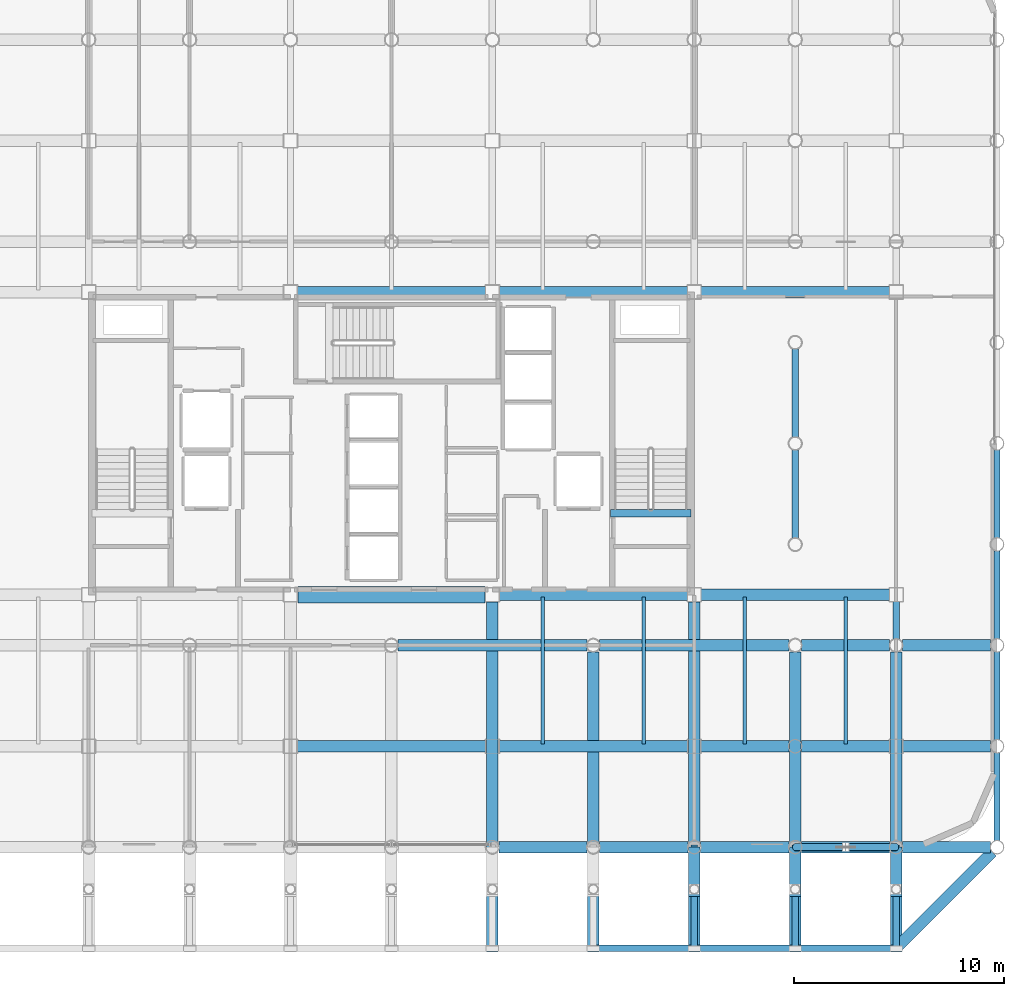
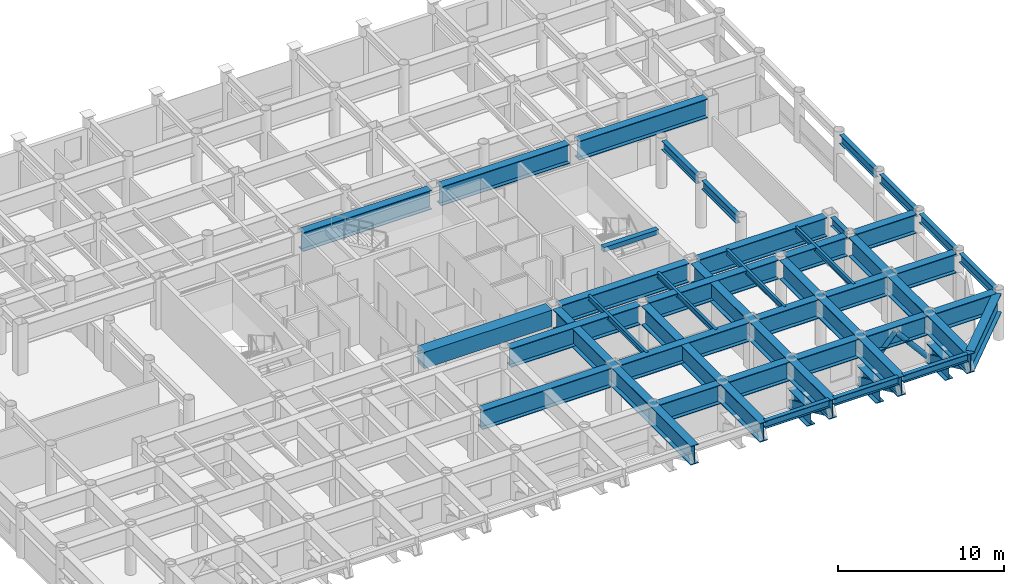
# One storey, part 9 of 24: 44 beams, 5 members.
"""IFC4 building model written with IfcOpenShell, lengths in metres."""

from ifc_helpers import new_model, si_unit, direction, frame, origin, origin_2d, place, context, subcontext, project, spatial, rectangle, hollow_rectangle, hollow_circle, i_section, extrude, material, material_profile, profile_set, type_object, element, save


model = new_model("IFC4")

# Units and contexts
model_context = context("Model", 3, precision=1e-05, world=origin(), true_north=direction((0.0, 1.0)))
body_context = subcontext(model_context, "Body", "Model", "MODEL_VIEW")
ifc_project = project(units=[si_unit("LENGTHUNIT", "METRE"), si_unit("AREAUNIT", "SQUARE_METRE"), si_unit("VOLUMEUNIT", "CUBIC_METRE"), si_unit("PLANEANGLEUNIT", "RADIAN"), si_unit("MASSUNIT", "GRAM", prefix="KILO")], contexts=[model_context])

# Site, building, storey
site_placement = place(None, origin())
site = spatial("IfcSite", under=ifc_project, at=site_placement, CompositionType="ELEMENT")
building_placement = place(site_placement, origin())
building = spatial("IfcBuilding", under=site, at=building_placement, Name="Kallvorn Hotel Tower", CompositionType="ELEMENT")
storey_placement = place(building_placement, frame((0.0, 0.0, 150.699951171875)))
storey = spatial("IfcBuildingStorey", under=building, at=storey_placement, Name="L37", CompositionType="ELEMENT", Elevation=150.699951171875)

# Beams
ifc_material_1 = material(Name="Structural steel S355JR", Category="steel")
ifc_material_profile_1 = material_profile(ifc_material_1, i_section(OverallWidth=0.300048828125, OverallDepth=0.550048828125, WebThickness=0.014892578125, FlangeThickness=0.029052734375, at=origin_2d()), Name="HE 550 B")
ifc_profile_set_1 = profile_set([ifc_material_profile_1], Name="Structural steel S355JR")
beam_type_1 = type_object("IfcBeamType", Name="BM_HE550B", PredefinedType="SPANDREL", material=ifc_profile_set_1)
for number, where, z_axis, x_axis, name in (
    (1, (9.75, -24.0, 3.2451171875), (1.0, 0.0, 0.0), (0.0, 1.0, 0.0), "L38 Perimeter Spandrel 172"),
    (2, (14.550048828125, -24.0, 3.2451171875), (1.0, 0.0, 0.0), (0.0, 1.0, 0.0), "L38 Perimeter Spandrel 173"),
    (3, (19.35009765625, -24.0, 3.2451171875), (1.0, 0.0, 0.0), (0.0, 1.0, 0.0), "L38 Perimeter Spandrel 174"),
):
    element("IfcBeam", number, at=place(storey_placement, frame(where, z_axis=z_axis, x_axis=x_axis)), inside=storey, type_object=beam_type_1, Name=name, PredefinedType="SPANDREL", context=body_context, shape_type="SweptSolid", body=[
        extrude(i_section(OverallWidth=0.300048828125, OverallDepth=0.550048828125, WebThickness=0.014892578125, FlangeThickness=0.029052734375, at=origin_2d()), origin(), (0.0, 0.0, 1.0), 4.5),
    ])
ifc_material_2 = material(Name="Structural steel S355JR", Category="steel")
ifc_material_profile_2 = material_profile(ifc_material_2, i_section(OverallWidth=0.300048828125, OverallDepth=0.64990234375, WebThickness=0.01611328125, FlangeThickness=0.031005859375, at=origin_2d()), Name="HE 650 B")
ifc_profile_set_2 = profile_set([ifc_material_profile_2], Name="Structural steel S355JR")
beam_type_2 = type_object("IfcBeamType", Name="BM_HE650B", PredefinedType="BEAM", material=ifc_profile_set_2)
for number, where, z_axis, x_axis, name in (
    (4, (19.199951171875, -4.4951171875, 3.195068359375), (0.0, 1.0, 0.0), (-1.0, 0.0, 0.0), "L38 Primary Y-Girder 143"),
    (5, (19.199951171875, 0.304931640625, 3.195068359375), (0.0, 1.0, 0.0), (-1.0, 0.0, 0.0), "L38 Primary Y-Girder 144"),
):
    element("IfcBeam", number, at=place(storey_placement, frame(where, z_axis=z_axis, x_axis=x_axis)), inside=storey, type_object=beam_type_2, Name=name, PredefinedType="BEAM", context=body_context, shape_type="SweptSolid", body=[
        extrude(i_section(OverallWidth=0.300048828125, OverallDepth=0.64990234375, WebThickness=0.01611328125, FlangeThickness=0.031005859375, at=origin_2d()), origin(), (0.0, 0.0, 1.0), 4.190185546875),
    ])
beam_1_placement = place(storey_placement, frame((24.0, -9.294921875, 3.195068359375), z_axis=(0.0, 1.0, 0.0), x_axis=(-1.0, 0.0, 0.0)))
element("IfcBeam", 6, at=beam_1_placement, inside=storey, type_object=beam_type_2, Name="L38 Primary Y-Girder 151", PredefinedType="BEAM", context=body_context, shape_type="SweptSolid", body=[
    extrude(i_section(OverallWidth=0.300048828125, OverallDepth=0.64990234375, WebThickness=0.01611328125, FlangeThickness=0.031005859375, at=origin_2d()), origin(), (0.0, 0.0, 1.0), 1.77001953125),
])
for number, where, z_axis, x_axis, name in (
    (7, (28.800048828125, -18.89501953125, 3.195068359375), (0.0, 1.0, 0.0), (-1.0, 0.0, 0.0), "L38 Primary Y-Girder 156"),
    (8, (28.800048828125, -14.094970703125, 3.195068359375), (0.0, 1.0, 0.0), (-1.0, 0.0, 0.0), "L38 Primary Y-Girder 157"),
    (9, (28.800048828125, -9.294921875, 3.195068359375), (0.0, 1.0, 0.0), (-1.0, 0.0, 0.0), "L38 Primary Y-Girder 158"),
):
    element("IfcBeam", number, at=place(storey_placement, frame(where, z_axis=z_axis, x_axis=x_axis)), inside=storey, type_object=beam_type_2, Name=name, PredefinedType="BEAM", context=body_context, shape_type="SweptSolid", body=[
        extrude(i_section(OverallWidth=0.300048828125, OverallDepth=0.64990234375, WebThickness=0.01611328125, FlangeThickness=0.031005859375, at=origin_2d()), origin(), (0.0, 0.0, 1.0), 4.18994140625),
    ])
beam_2_placement = place(storey_placement, frame((28.800048828125, -4.4951171875, 3.195068359375), z_axis=(0.0, 1.0, 0.0), x_axis=(-1.0, 0.0, 0.0)))
element("IfcBeam", 10, at=beam_2_placement, inside=storey, type_object=beam_type_2, Name="L38 Primary Y-Girder 159", PredefinedType="BEAM", context=body_context, shape_type="SweptSolid", body=[
    extrude(i_section(OverallWidth=0.300048828125, OverallDepth=0.64990234375, WebThickness=0.01611328125, FlangeThickness=0.031005859375, at=origin_2d()), origin(), (0.0, 0.0, 1.0), 4.190185546875),
])
ifc_material_3 = material(Name="Structural steel S355JR", Category="steel")
ifc_material_profile_3 = material_profile(ifc_material_3, i_section(OverallWidth=0.179931640625, OverallDepth=0.39990234375, WebThickness=0.008544921875, FlangeThickness=0.013427734375, at=origin_2d()), Name="IPE 400")
ifc_profile_set_3 = profile_set([ifc_material_profile_3], Name="Structural steel S355JR")
beam_type_3 = type_object("IfcBeamType", Name="BM_IPE400", PredefinedType="JOIST", material=ifc_profile_set_3)
for number, where, z_axis, x_axis, name in (
    (11, (7.199951171875, -14.300048828125, 3.320068359375), (0.0, 1.0, 0.0), (-1.0, 0.0, 0.0), "L38 Secondary Composite Joist 215"),
    (12, (12.0, -14.300048828125, 3.320068359375), (0.0, 1.0, 0.0), (-1.0, 0.0, 0.0), "L38 Secondary Composite Joist 217"),
    (13, (16.800048828125, -14.300048828125, 3.320068359375), (0.0, 1.0, 0.0), (-1.0, 0.0, 0.0), "L38 Secondary Composite Joist 219"),
    (14, (21.60009765625, -14.300048828125, 3.320068359375), (0.0, 1.0, 0.0), (-1.0, 0.0, 0.0), "L38 Secondary Composite Joist 221"),
):
    element("IfcBeam", number, at=place(storey_placement, frame(where, z_axis=z_axis, x_axis=x_axis)), inside=storey, type_object=beam_type_3, Name=name, PredefinedType="JOIST", context=body_context, shape_type="SweptSolid", body=[
        extrude(i_section(OverallWidth=0.179931640625, OverallDepth=0.39990234375, WebThickness=0.008544921875, FlangeThickness=0.013427734375, at=origin_2d()), origin(), (0.0, 0.0, 1.0), 7.0),
    ])
ifc_material_4 = material(Name="Structural steel S355JR", Category="steel")
ifc_material_profile_4 = material_profile(ifc_material_4, i_section(OverallWidth=0.550048828125, OverallDepth=1.39990234375, WebThickness=0.02490234375, FlangeThickness=0.044921875, at=origin_2d()), Name="PG 1400x550x25x45")
ifc_profile_set_4 = profile_set([ifc_material_profile_4], Name="Structural steel S355JR")
beam_type_4 = type_object("IfcBeamType", Name="BM_PG_1400", PredefinedType="BEAM", material=ifc_profile_set_4)
beam_3_placement = place(storey_placement, frame((4.800048828125, -7.5400390625, 2.820068359375), z_axis=(0.0, -1.0, 0.0), x_axis=(1.0, 0.0, 0.0)))
element("IfcBeam", 15, at=beam_3_placement, inside=storey, type_object=beam_type_4, Name="L38 Continuous Cantilever Transfer Girder 09", PredefinedType="BEAM", context=body_context, shape_type="SweptSolid", body=[
    extrude(i_section(OverallWidth=0.550048828125, OverallDepth=1.39990234375, WebThickness=0.02490234375, FlangeThickness=0.044921875, at=origin_2d()), origin(), (0.0, 0.0, 1.0), 16.639892578125),
])
beam_4_placement = place(storey_placement, frame((9.60009765625, -9.919921875, 2.820068359375), z_axis=(0.0, -1.0, 0.0), x_axis=(1.0, 0.0, 0.0)))
element("IfcBeam", 16, at=beam_4_placement, inside=storey, type_object=beam_type_4, Name="L38 Continuous Cantilever Transfer Girder 10", PredefinedType="BEAM", context=body_context, shape_type="SweptSolid", body=[
    extrude(i_section(OverallWidth=0.550048828125, OverallDepth=1.39990234375, WebThickness=0.02490234375, FlangeThickness=0.044921875, at=origin_2d()), origin(), (0.0, 0.0, 1.0), 14.260009765625),
])
beam_5_placement = place(storey_placement, frame((14.39990234375, -7.5400390625, 2.820068359375), z_axis=(0.0, -1.0, 0.0), x_axis=(1.0, 0.0, 0.0)))
element("IfcBeam", 17, at=beam_5_placement, inside=storey, type_object=beam_type_4, Name="L38 Continuous Cantilever Transfer Girder 11", PredefinedType="BEAM", context=body_context, shape_type="SweptSolid", body=[
    extrude(i_section(OverallWidth=0.550048828125, OverallDepth=1.39990234375, WebThickness=0.02490234375, FlangeThickness=0.044921875, at=origin_2d()), origin(), (0.0, 0.0, 1.0), 16.639892578125),
])
beam_6_placement = place(storey_placement, frame((14.39990234375, -19.199951171875, 0.719970703125), z_axis=(0.0, -1.0, 0.0), x_axis=(1.0, 0.0, 0.0)))
element("IfcBeam", 18, at=beam_6_placement, inside=storey, type_object=beam_type_4, Name="L38 Cantilever Haunch Corbel 11", PredefinedType="BEAM", context=body_context, shape_type="SweptSolid", body=[
    extrude(i_section(OverallWidth=0.550048828125, OverallDepth=1.39990234375, WebThickness=0.02490234375, FlangeThickness=0.044921875, at=origin_2d()), origin(), (0.0, 0.0, 1.0), 2.35009765625),
])
beam_7_placement = place(storey_placement, frame((19.199951171875, -9.919921875, 2.820068359375), z_axis=(0.0, -1.0, 0.0), x_axis=(1.0, 0.0, 0.0)))
element("IfcBeam", 19, at=beam_7_placement, inside=storey, type_object=beam_type_4, Name="L38 Continuous Cantilever Transfer Girder 12", PredefinedType="BEAM", context=body_context, shape_type="SweptSolid", body=[
    extrude(i_section(OverallWidth=0.550048828125, OverallDepth=1.39990234375, WebThickness=0.02490234375, FlangeThickness=0.044921875, at=origin_2d()), origin(), (0.0, 0.0, 1.0), 14.260009765625),
])
beam_8_placement = place(storey_placement, frame((19.199951171875, -19.199951171875, 0.719970703125), z_axis=(0.0, -1.0, 0.0), x_axis=(1.0, 0.0, 0.0)))
element("IfcBeam", 20, at=beam_8_placement, inside=storey, type_object=beam_type_4, Name="L38 Cantilever Haunch Corbel 12", PredefinedType="BEAM", context=body_context, shape_type="SweptSolid", body=[
    extrude(i_section(OverallWidth=0.550048828125, OverallDepth=1.39990234375, WebThickness=0.02490234375, FlangeThickness=0.044921875, at=origin_2d()), origin(), (0.0, 0.0, 1.0), 2.35009765625),
])
beam_9_placement = place(storey_placement, frame((24.0, -9.919921875, 2.820068359375), z_axis=(0.0, -1.0, 0.0), x_axis=(1.0, 0.0, 0.0)))
element("IfcBeam", 21, at=beam_9_placement, inside=storey, type_object=beam_type_4, Name="L38 Continuous Cantilever Transfer Girder 13", PredefinedType="BEAM", context=body_context, shape_type="SweptSolid", body=[
    extrude(i_section(OverallWidth=0.550048828125, OverallDepth=1.39990234375, WebThickness=0.02490234375, FlangeThickness=0.044921875, at=origin_2d()), origin(), (0.0, 0.0, 1.0), 14.260009765625),
])
beam_10_placement = place(storey_placement, frame((24.0, -19.199951171875, 0.719970703125), z_axis=(0.0, -1.0, 0.0), x_axis=(1.0, 0.0, 0.0)))
element("IfcBeam", 22, at=beam_10_placement, inside=storey, type_object=beam_type_4, Name="L38 Cantilever Haunch Corbel 13", PredefinedType="BEAM", context=body_context, shape_type="SweptSolid", body=[
    extrude(i_section(OverallWidth=0.550048828125, OverallDepth=1.39990234375, WebThickness=0.02490234375, FlangeThickness=0.044921875, at=origin_2d()), origin(), (0.0, 0.0, 1.0), 2.35009765625),
])
for number, where, z_axis, x_axis, name in (
    (23, (5.10498046875, -19.199951171875, 2.820068359375), (1.0, 0.0, 0.0), (0.0, 1.0, 0.0), "L38 Primary X-Girder 21"),
    (24, (9.905029296875, -19.199951171875, 2.820068359375), (1.0, 0.0, 0.0), (0.0, 1.0, 0.0), "L38 Primary X-Girder 22"),
    (25, (14.705078125, -19.199951171875, 2.820068359375), (1.0, 0.0, 0.0), (0.0, 1.0, 0.0), "L38 Primary X-Girder 23"),
):
    element("IfcBeam", number, at=place(storey_placement, frame(where, z_axis=z_axis, x_axis=x_axis)), inside=storey, type_object=beam_type_4, Name=name, PredefinedType="BEAM", context=body_context, shape_type="SweptSolid", body=[
        extrude(i_section(OverallWidth=0.550048828125, OverallDepth=1.39990234375, WebThickness=0.02490234375, FlangeThickness=0.044921875, at=origin_2d()), origin(), (0.0, 0.0, 1.0), 4.18994140625),
    ])
for number, where, z_axis, x_axis, name in (
    (26, (19.5048828125, -19.199951171875, 2.820068359375), (1.0, 0.0, 0.0), (0.0, 1.0, 0.0), "L38 Primary X-Girder 24"),
    (27, (24.304931640625, -19.199951171875, 2.820068359375), (1.0, 0.0, 0.0), (0.0, 1.0, 0.0), "L38 Primary X-Girder 25"),
):
    element("IfcBeam", number, at=place(storey_placement, frame(where, z_axis=z_axis, x_axis=x_axis)), inside=storey, type_object=beam_type_4, Name=name, PredefinedType="BEAM", context=body_context, shape_type="SweptSolid", body=[
        extrude(i_section(OverallWidth=0.550048828125, OverallDepth=1.39990234375, WebThickness=0.02490234375, FlangeThickness=0.044921875, at=origin_2d()), origin(), (0.0, 0.0, 1.0), 4.190185546875),
    ])
beam_11_placement = place(storey_placement, frame((-4.47509765625, -14.39990234375, 2.820068359375), z_axis=(1.0, 0.0, 0.0), x_axis=(0.0, 1.0, 0.0)))
element("IfcBeam", 28, at=beam_11_placement, inside=storey, type_object=beam_type_4, Name="L38 Primary X-Girder 31", PredefinedType="BEAM", context=body_context, shape_type="SweptSolid", body=[
    extrude(i_section(OverallWidth=0.550048828125, OverallDepth=1.39990234375, WebThickness=0.02490234375, FlangeThickness=0.044921875, at=origin_2d()), origin(), (0.0, 0.0, 1.0), 8.9501953125),
])
beam_12_placement = place(storey_placement, frame((5.125, -14.39990234375, 2.820068359375), z_axis=(1.0, 0.0, 0.0), x_axis=(0.0, 1.0, 0.0)))
element("IfcBeam", 29, at=beam_12_placement, inside=storey, type_object=beam_type_4, Name="L38 Primary X-Girder 32", PredefinedType="BEAM", context=body_context, shape_type="SweptSolid", body=[
    extrude(i_section(OverallWidth=0.550048828125, OverallDepth=1.39990234375, WebThickness=0.02490234375, FlangeThickness=0.044921875, at=origin_2d()), origin(), (0.0, 0.0, 1.0), 8.949951171875),
])
beam_13_placement = place(storey_placement, frame((14.72509765625, -14.39990234375, 2.820068359375), z_axis=(1.0, 0.0, 0.0), x_axis=(0.0, 1.0, 0.0)))
element("IfcBeam", 30, at=beam_13_placement, inside=storey, type_object=beam_type_4, Name="L38 Primary X-Girder 33", PredefinedType="BEAM", context=body_context, shape_type="SweptSolid", body=[
    extrude(i_section(OverallWidth=0.550048828125, OverallDepth=1.39990234375, WebThickness=0.02490234375, FlangeThickness=0.044921875, at=origin_2d()), origin(), (0.0, 0.0, 1.0), 4.169921875),
])
for number, where, z_axis, x_axis, name in (
    (31, (19.5048828125, -14.39990234375, 2.820068359375), (1.0, 0.0, 0.0), (0.0, 1.0, 0.0), "L38 Primary X-Girder 34"),
    (32, (24.324951171875, -14.39990234375, 2.820068359375), (1.0, 0.0, 0.0), (0.0, 1.0, 0.0), "L38 Primary X-Girder 35"),
):
    element("IfcBeam", number, at=place(storey_placement, frame(where, z_axis=z_axis, x_axis=x_axis)), inside=storey, type_object=beam_type_4, Name=name, PredefinedType="BEAM", context=body_context, shape_type="SweptSolid", body=[
        extrude(i_section(OverallWidth=0.550048828125, OverallDepth=1.39990234375, WebThickness=0.02490234375, FlangeThickness=0.044921875, at=origin_2d()), origin(), (0.0, 0.0, 1.0), 4.170166015625),
    ])
for number, where, z_axis, x_axis, name in (
    (33, (0.304931640625, -9.60009765625, 2.820068359375), (1.0, 0.0, 0.0), (0.0, 1.0, 0.0), "L38 Primary X-Girder 41"),
    (34, (9.905029296875, -9.60009765625, 2.820068359375), (1.0, 0.0, 0.0), (0.0, 1.0, 0.0), "L38 Primary X-Girder 42"),
):
    element("IfcBeam", number, at=place(storey_placement, frame(where, z_axis=z_axis, x_axis=x_axis)), inside=storey, type_object=beam_type_4, Name=name, PredefinedType="BEAM", context=body_context, shape_type="SweptSolid", body=[
        extrude(i_section(OverallWidth=0.550048828125, OverallDepth=1.39990234375, WebThickness=0.02490234375, FlangeThickness=0.044921875, at=origin_2d()), origin(), (0.0, 0.0, 1.0), 8.989990234375),
    ])
for number, where, z_axis, x_axis, name in (
    (35, (19.5048828125, -9.60009765625, 2.820068359375), (1.0, 0.0, 0.0), (0.0, 1.0, 0.0), "L38 Primary X-Girder 43"),
    (36, (24.304931640625, -9.60009765625, 2.820068359375), (1.0, 0.0, 0.0), (0.0, 1.0, 0.0), "L38 Primary X-Girder 44"),
):
    element("IfcBeam", number, at=place(storey_placement, frame(where, z_axis=z_axis, x_axis=x_axis)), inside=storey, type_object=beam_type_4, Name=name, PredefinedType="BEAM", context=body_context, shape_type="SweptSolid", body=[
        extrude(i_section(OverallWidth=0.550048828125, OverallDepth=1.39990234375, WebThickness=0.02490234375, FlangeThickness=0.044921875, at=origin_2d()), origin(), (0.0, 0.0, 1.0), 4.190185546875),
    ])
for number, where, z_axis, x_axis, name in (
    (37, (5.125, -7.199951171875, 2.820068359375), (1.0, 0.0, 0.0), (0.0, 1.0, 0.0), "L38 Primary X-Girder 47"),
    (38, (14.72509765625, -7.199951171875, 2.820068359375), (1.0, 0.0, 0.0), (0.0, 1.0, 0.0), "L38 Primary X-Girder 48"),
):
    element("IfcBeam", number, at=place(storey_placement, frame(where, z_axis=z_axis, x_axis=x_axis)), inside=storey, type_object=beam_type_4, Name=name, PredefinedType="BEAM", context=body_context, shape_type="SweptSolid", body=[
        extrude(i_section(OverallWidth=0.550048828125, OverallDepth=1.39990234375, WebThickness=0.02490234375, FlangeThickness=0.044921875, at=origin_2d()), origin(), (0.0, 0.0, 1.0), 8.949951171875),
    ])
beam_14_placement = place(storey_placement, frame((-4.47509765625, 7.199951171875, 2.820068359375), z_axis=(1.0, 0.0, 0.0), x_axis=(0.0, 1.0, 0.0)))
element("IfcBeam", 39, at=beam_14_placement, inside=storey, type_object=beam_type_4, Name="L38 Primary X-Girder 51", PredefinedType="BEAM", context=body_context, shape_type="SweptSolid", body=[
    extrude(i_section(OverallWidth=0.550048828125, OverallDepth=1.39990234375, WebThickness=0.02490234375, FlangeThickness=0.044921875, at=origin_2d()), origin(), (0.0, 0.0, 1.0), 8.9501953125),
])
for number, where, z_axis, x_axis, name in (
    (40, (5.125, 7.199951171875, 2.820068359375), (1.0, 0.0, 0.0), (0.0, 1.0, 0.0), "L38 Primary X-Girder 52"),
    (41, (14.72509765625, 7.199951171875, 2.820068359375), (1.0, 0.0, 0.0), (0.0, 1.0, 0.0), "L38 Primary X-Girder 53"),
):
    element("IfcBeam", number, at=place(storey_placement, frame(where, z_axis=z_axis, x_axis=x_axis)), inside=storey, type_object=beam_type_4, Name=name, PredefinedType="BEAM", context=body_context, shape_type="SweptSolid", body=[
        extrude(i_section(OverallWidth=0.550048828125, OverallDepth=1.39990234375, WebThickness=0.02490234375, FlangeThickness=0.044921875, at=origin_2d()), origin(), (0.0, 0.0, 1.0), 8.949951171875),
    ])
beam_15_placement = place(storey_placement, frame((28.57373046875, -19.42626953125, 2.820068359375), z_axis=(-0.707106781187, -0.707106781187, 0.0), x_axis=(0.707106781187, -0.707106781187, 0.0)))
element("IfcBeam", 42, at=beam_15_placement, inside=storey, type_object=beam_type_4, Name="L38 Rounded Corner Tie Beam 204", PredefinedType="BEAM", context=body_context, shape_type="SweptSolid", body=[
    extrude(i_section(OverallWidth=0.550048828125, OverallDepth=1.39990234375, WebThickness=0.02490234375, FlangeThickness=0.044921875, at=origin_2d()), origin(), (0.0, 0.0, 1.0), 6.318115234375),
])
ifc_material_5 = material(Name="Concrete C50/60", Category="concrete")
ifc_material_profile_5 = material_profile(ifc_material_5, rectangle(XDim=0.360107421875, YDim=0.340087890625, at=origin_2d()), Name="RC 360x340")
ifc_profile_set_5 = profile_set([ifc_material_profile_5], Name="Concrete C50/60")
beam_type_5 = type_object("IfcBeamType", Name="BM_RC_400x360", PredefinedType="BEAM", material=ifc_profile_set_5)
beam_16_placement = place(storey_placement, frame((14.239990234375, -3.31005859375, 3.35009765625), z_axis=(-1.0, 0.0, 0.0), x_axis=(0.0, -1.0, 0.0)))
element("IfcBeam", 43, at=beam_16_placement, inside=storey, type_object=beam_type_5, Name="L38 Stair ST2 Arrival Trimmer Beam", PredefinedType="BEAM", context=body_context, shape_type="SweptSolid", body=[
    extrude(rectangle(XDim=0.360107421875, YDim=0.340087890625, at=origin_2d()), origin(), (0.0, 0.0, 1.0), 3.820068359375),
])
ifc_material_6 = material(Name="Concrete C50/60", Category="concrete")
ifc_material_profile_6 = material_profile(ifc_material_6, rectangle(XDim=0.800048828125, YDim=1.199951171875, at=origin_2d()), Name="RC 800x1200")
ifc_profile_set_6 = profile_set([ifc_material_profile_6], Name="Concrete C50/60")
beam_type_6 = type_object("IfcBeamType", Name="BM_RC_800x1200", PredefinedType="T_BEAM", material=ifc_profile_set_6)
beam_17_placement = place(storey_placement, frame((-4.449951171875, -7.199951171875, 2.920166015625), z_axis=(1.0, 0.0, 0.0), x_axis=(0.0, 1.0, 0.0)))
element("IfcBeam", 44, at=beam_17_placement, inside=storey, type_object=beam_type_6, Name="L37 Core Coupling Beam South", PredefinedType="T_BEAM", context=body_context, shape_type="SweptSolid", body=[
    extrude(rectangle(XDim=0.800048828125, YDim=1.199951171875, at=origin_2d()), origin(), (0.0, 0.0, 1.0), 8.89990234375),
])

# Members
ifc_material_7 = material(Name="Structural steel S355J2H", Category="steel")
ifc_material_profile_7 = material_profile(ifc_material_7, hollow_circle(Radius=0.177734375, WallThickness=0.01416015625, at=origin_2d()), Name="CHS 355.6x14.2")
ifc_profile_set_7 = profile_set([ifc_material_profile_7], Name="Structural steel S355J2H")
member_type_1 = type_object("IfcMemberType", Name="MBR_EXO_CHS355", PredefinedType="BRACE", material=ifc_profile_set_7)
for number, where, z_axis, x_axis, name in (
    (45, (19.212890625, -19.199951171875, 0.1953125), (0.646833296797, 0.0, 0.762631422218), (0.0, 1.0, 0.0), "L37 Exoskeleton K-Brace S2A"),
    (46, (23.987060546875, -19.199951171875, 0.1953125), (-0.646833296797, 0.0, 0.762631422218), (0.0, -1.0, 0.0), "L37 Exoskeleton K-Brace S2B"),
):
    element("IfcMember", number, at=place(storey_placement, frame(where, z_axis=z_axis, x_axis=x_axis)), inside=storey, type_object=member_type_1, Name=name, PredefinedType="BRACE", context=body_context, shape_type="SweptSolid", body=[
        extrude(hollow_circle(Radius=0.177734375, WallThickness=0.01416015625, at=origin_2d()), origin(), (0.0, 0.0, 1.0), 3.670654296875),
    ])
ifc_material_8 = material(Name="Structural steel S355J2H", Category="steel")
ifc_material_profile_8 = material_profile(ifc_material_8, hollow_rectangle(XDim=0.300048828125, YDim=0.5, WallThickness=0.02490234375, at=origin_2d()), Name="RHS 500x300x25")
ifc_profile_set_8 = profile_set([ifc_material_profile_8], Name="Structural steel S355J2H")
member_type_2 = type_object("IfcMemberType", Name="MBR_OUTRIGGER_RHS500", PredefinedType="BRACE", material=ifc_profile_set_8)
for number, where, z_axis, x_axis, name in (
    (47, (14.39990234375, -19.199951171875, 0.25), (0.0, -0.907630778312, 0.419769425115), (1.0, 0.0, 0.0), "L38 Exoskeleton Cantilever Raking Strut 11"),
    (48, (19.199951171875, -19.199951171875, 0.25), (0.0, -0.907630778312, 0.419769425115), (1.0, 0.0, 0.0), "L38 Exoskeleton Cantilever Raking Strut 12"),
    (49, (24.0, -19.199951171875, 0.25), (0.0, -0.907630778312, 0.419769425115), (1.0, 0.0, 0.0), "L38 Exoskeleton Cantilever Raking Strut 13"),
):
    element("IfcMember", number, at=place(storey_placement, frame(where, z_axis=z_axis, x_axis=x_axis)), inside=storey, type_object=member_type_2, Name=name, PredefinedType="BRACE", context=body_context, shape_type="SweptSolid", body=[
        extrude(hollow_rectangle(XDim=0.300048828125, YDim=0.5, WallThickness=0.02490234375, at=origin_2d()), origin(), (0.0, 0.0, 1.0), 5.28857421875),
    ])

save(model, "model.ifc")
